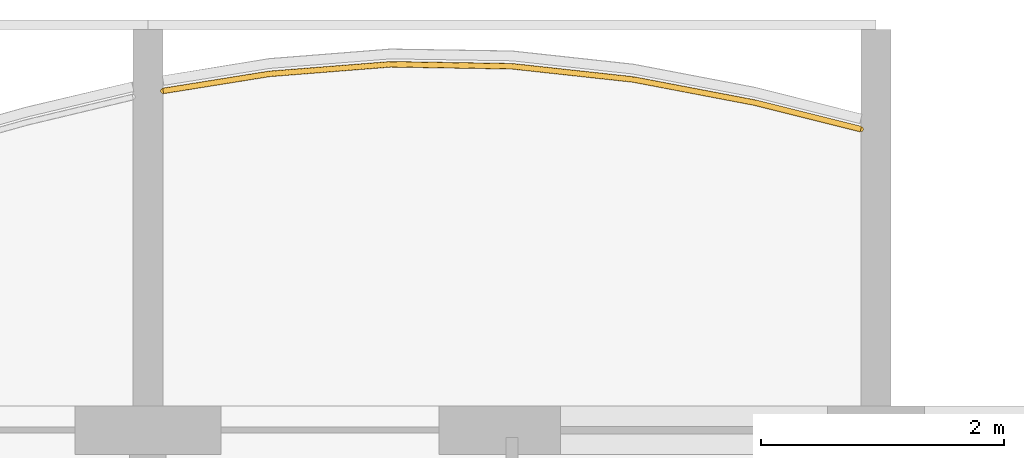
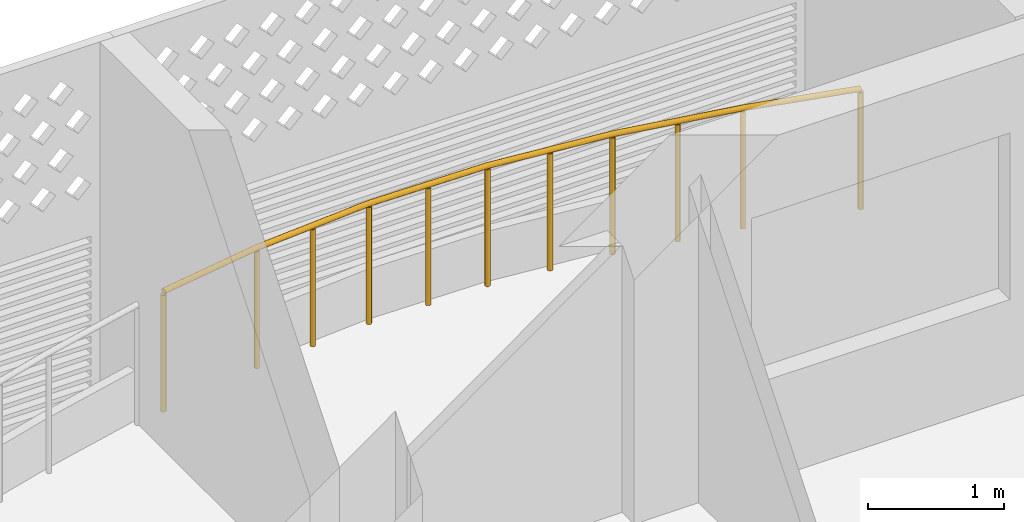
# One storey, part 24 of 31: 1 railing.
"""IFC4 building model written with IfcOpenShell, lengths in metres."""

from ifc_helpers import new_model, si_unit, direction, frame, origin, origin_2d, place, context, subcontext, project, spatial, circle, extrude, material, type_object, element, save


model = new_model("IFC4")

# Units and contexts
model_context = context("Model", 3, precision=1e-05, world=origin(), true_north=direction((0.0, 1.0)))
body_context = subcontext(model_context, "Body", "Model", "MODEL_VIEW")
ifc_project = project(units=[si_unit("LENGTHUNIT", "METRE"), si_unit("AREAUNIT", "SQUARE_METRE"), si_unit("VOLUMEUNIT", "CUBIC_METRE"), si_unit("PLANEANGLEUNIT", "RADIAN"), si_unit("MASSUNIT", "GRAM", prefix="KILO")], contexts=[model_context])

# Site, building, storey
site_placement = place(None, origin())
site = spatial("IfcSite", under=ifc_project, at=site_placement, CompositionType="ELEMENT")
building_placement = place(site_placement, origin())
building = spatial("IfcBuilding", under=site, at=building_placement, Name="Poui Terraces", CompositionType="ELEMENT")
storey_placement = place(building_placement, frame((0.0, 0.0, 145.5)))
storey = spatial("IfcBuildingStorey", under=building, at=storey_placement, Name="L40", CompositionType="ELEMENT", Elevation=145.5)

# Railing
ifc_material = material(Name="Painted steel fretwork", Category="steel")
railing_type = type_object("IfcRailingType", Name="BALCONY GUARD 1100", PredefinedType="GUARDRAIL", material=ifc_material)
railing_placement = place(storey_placement, frame((54.125, 45.195556640625, 0.0)))
element("IfcRailing", 1, at=railing_placement, inside=storey, type_object=railing_type, Name="BALCONY GUARD", PredefinedType="GUARDRAIL", context=body_context, shape_type="SweptSolid", body=[
    extrude(circle(Radius=0.02392578125, at=origin_2d()), frame((0.0, 0.0, 1.076171875), z_axis=(0.987373495895, 0.158409531289, 0.0), x_axis=(-0.158409531289, 0.987373495895, 0.0)), (0.0, 0.0, 1.0), 0.88623046875),
    extrude(circle(Radius=0.02392578125, at=origin_2d()), frame((0.875, 0.140380859375, 1.076171875), z_axis=(0.996905179889, 0.07861337234, 0.0), x_axis=(-0.07861337234, 0.996905179889, 0.0)), (0.0, 0.0, 1.0), 1.003173828125),
    extrude(circle(Radius=0.02392578125, at=origin_2d()), frame((1.875, 0.21923828125, 1.076171875), z_axis=(0.999870206358, -0.016111189849, 0.0), x_axis=(0.016111189849, 0.999870206358, 0.0)), (0.0, 0.0, 1.0), 1.000244140625),
    extrude(circle(Radius=0.02392578125, at=origin_2d()), frame((2.875, 0.203125, 1.076171875), z_axis=(0.994124040351, -0.108246904784, 0.0), x_axis=(0.108246904784, 0.994124040351, 0.0)), (0.0, 0.0, 1.0), 1.005859375),
    extrude(circle(Radius=0.02392578125, at=origin_2d()), frame((3.875, 0.09423828125, 1.076171875), z_axis=(0.982302864177, -0.187299447491, 0.0), x_axis=(0.187299447491, 0.982302864177, 0.0)), (0.0, 0.0, 1.0), 1.01806640625),
    extrude(circle(Radius=0.02392578125, at=origin_2d()), frame((4.875, -0.096435546875, 1.076171875), z_axis=(0.970142500145, -0.242535625036, 0.0), x_axis=(0.242535625036, 0.970142500145, 0.0)), (0.0, 0.0, 1.0), 0.90185546875),
    extrude(circle(Radius=0.02099609375, at=origin_2d()), origin(), (0.0, 0.0, 1.0), 1.052001953125),
    extrude(circle(Radius=0.02099609375, at=origin_2d()), frame((0.875, 0.140380859375, 0.0)), (0.0, 0.0, 1.0), 1.052001953125),
    extrude(circle(Radius=0.02099609375, at=origin_2d()), frame((1.375, 0.1796875, 0.0)), (0.0, 0.0, 1.0), 1.052001953125),
    extrude(circle(Radius=0.02099609375, at=origin_2d()), frame((1.875, 0.21923828125, 0.0)), (0.0, 0.0, 1.0), 1.052001953125),
    extrude(circle(Radius=0.02099609375, at=origin_2d()), frame((2.375, 0.211181640625, 0.0)), (0.0, 0.0, 1.0), 1.052001953125),
    extrude(circle(Radius=0.02099609375, at=origin_2d()), frame((2.875, 0.203125, 0.0)), (0.0, 0.0, 1.0), 1.052001953125),
    extrude(circle(Radius=0.02099609375, at=origin_2d()), frame((3.375, 0.148681640625, 0.0)), (0.0, 0.0, 1.0), 1.052001953125),
    extrude(circle(Radius=0.02099609375, at=origin_2d()), frame((3.875, 0.09423828125, 0.0)), (0.0, 0.0, 1.0), 1.052001953125),
    extrude(circle(Radius=0.02099609375, at=origin_2d()), frame((4.375, -0.0009765625, 0.0)), (0.0, 0.0, 1.0), 1.052001953125),
    extrude(circle(Radius=0.02099609375, at=origin_2d()), frame((4.875, -0.096435546875, 0.0)), (0.0, 0.0, 1.0), 1.052001953125),
    extrude(circle(Radius=0.02099609375, at=origin_2d()), frame((5.75, -0.315185546875, 0.0)), (0.0, 0.0, 1.0), 1.052001953125),
])

save(model, "model.ifc")
